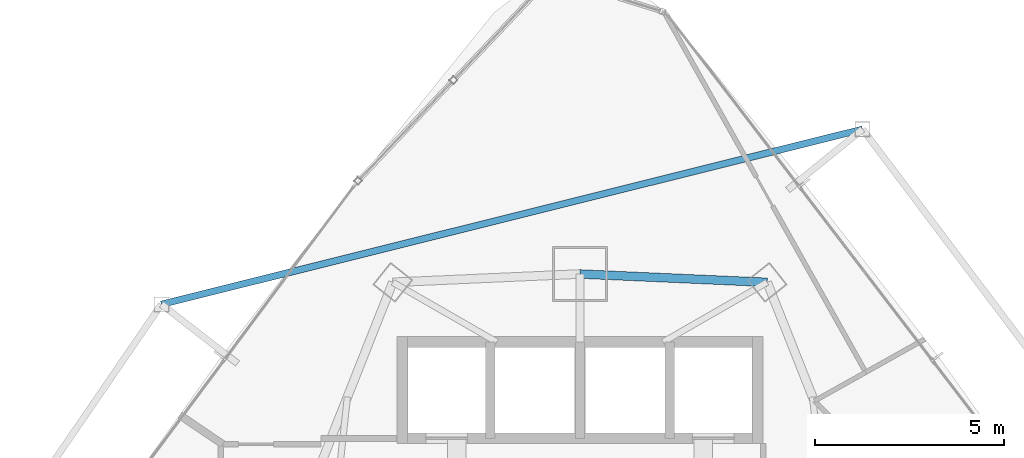
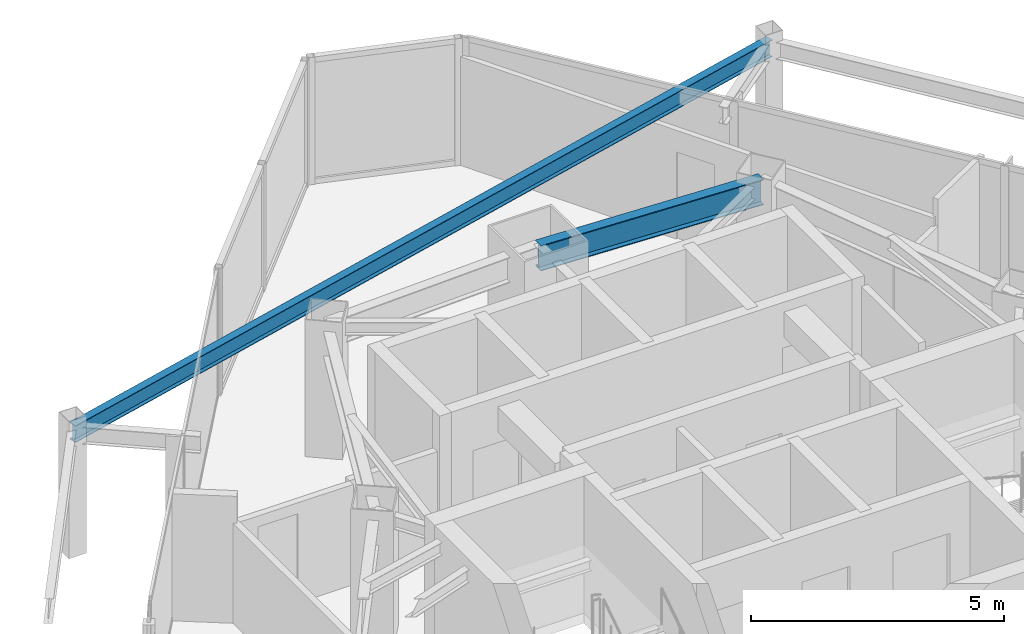
# One storey, part 23 of 33: 2 beams.
"""IFC4 building model written with IfcOpenShell, lengths in metres."""

from ifc_helpers import new_model, si_unit, direction, frame, origin, origin_2d, place, context, subcontext, project, spatial, i_section, extrude, material, material_profile, profile_set, type_object, element, save


model = new_model("IFC4")

# Units and contexts
model_context = context("Model", 3, precision=1e-05, world=origin(), true_north=direction((0.0, 1.0)))
body_context = subcontext(model_context, "Body", "Model", "MODEL_VIEW")
ifc_project = project(units=[si_unit("LENGTHUNIT", "METRE"), si_unit("AREAUNIT", "SQUARE_METRE"), si_unit("VOLUMEUNIT", "CUBIC_METRE"), si_unit("PLANEANGLEUNIT", "RADIAN"), si_unit("MASSUNIT", "GRAM", prefix="KILO")], contexts=[model_context])

# Site, building, storey
site_placement = place(None, origin())
site = spatial("IfcSite", under=ifc_project, at=site_placement, CompositionType="ELEMENT")
building_placement = place(site_placement, origin())
building = spatial("IfcBuilding", under=site, at=building_placement, Name="Orvanel Arch Residences", CompositionType="ELEMENT")
storey_placement = place(building_placement, frame((0.0, 0.0, 119.89990234375)))
storey = spatial("IfcBuildingStorey", under=building, at=storey_placement, Name="L33", CompositionType="ELEMENT", Elevation=119.89990234375)

# Beams
ifc_material = material(Name="Structural steel AS/NZS 3679.1 Grade 300 (300 MPa)", Category="steel")
ifc_material_profile_1 = material_profile(ifc_material, i_section(OverallWidth=0.177978515625, OverallDepth=0.406005859375, WebThickness=0.0078125, FlangeThickness=0.0126953125, at=origin_2d()), Name="410UB59.7")
ifc_profile_set_1 = profile_set([ifc_material_profile_1], Name="Structural steel AS/NZS 3679.1 Grade 300 (300 MPa)")
beam_type_1 = type_object("IfcBeamType", Name="OB-410UB-EXT", PredefinedType="SPANDREL", material=ifc_profile_set_1)
beam_1_placement = place(storey_placement, frame((40.47412109375, 45.22607421875, 2.857177734375), z_axis=(-0.970215338823, -0.242244084163, 0.0), x_axis=(0.242244084163, -0.970215338823, 0.0)))
element("IfcBeam", 1, at=beam_1_placement, inside=storey, type_object=beam_type_1, Name="L33 Outer Perimeter Floor Ring Beam 12", PredefinedType="SPANDREL", context=body_context, shape_type="SweptSolid", body=[
    extrude(i_section(OverallWidth=0.177978515625, OverallDepth=0.406005859375, WebThickness=0.0078125, FlangeThickness=0.0126953125, at=origin_2d()), origin(), (0.0, 0.0, 1.0), 19.113525390625),
])
ifc_material_profile_2 = material_profile(ifc_material, i_section(OverallWidth=0.22900390625, OverallDepth=0.612060546875, WebThickness=0.011962890625, FlangeThickness=0.01953125, at=origin_2d()), Name="610UB125")
ifc_profile_set_2 = profile_set([ifc_material_profile_2], Name="Structural steel AS/NZS 3679.1 Grade 300 (300 MPa)")
beam_type_2 = type_object("IfcBeamType", Name="SP-610UB", PredefinedType="SPANDREL", material=ifc_profile_set_2)
beam_2_placement = place(storey_placement, frame((37.949951171875, 41.177978515625, 2.754150390625), z_axis=(-0.999014049296, 0.044395149614, 0.0), x_axis=(-0.044395149614, -0.999014049296, 0.0)))
element("IfcBeam", 2, at=beam_2_placement, inside=storey, type_object=beam_type_2, Name="L33 Perimeter Spandrel Beam 14", PredefinedType="SPANDREL", context=body_context, shape_type="SweptSolid", body=[
    extrude(i_section(OverallWidth=0.22900390625, OverallDepth=0.612060546875, WebThickness=0.011962890625, FlangeThickness=0.01953125, at=origin_2d()), origin(), (0.0, 0.0, 1.0), 4.954833984375),
])

save(model, "model.ifc")
